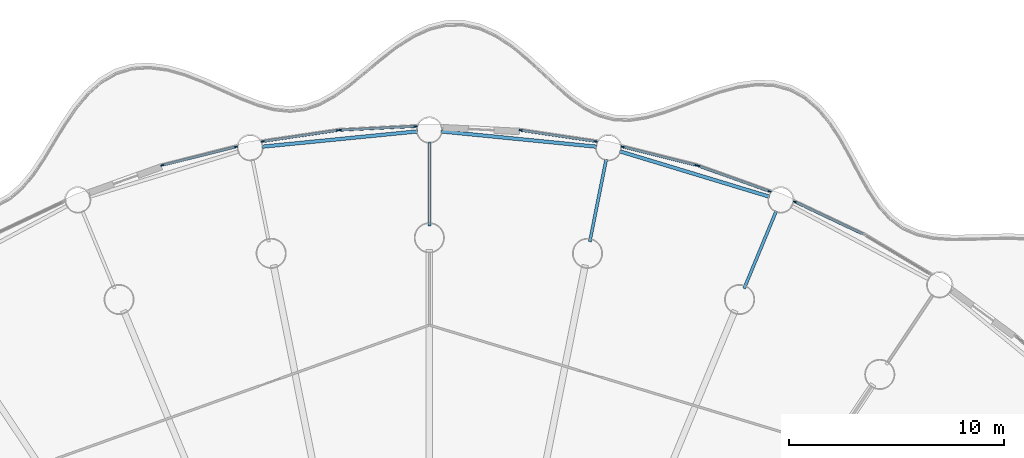
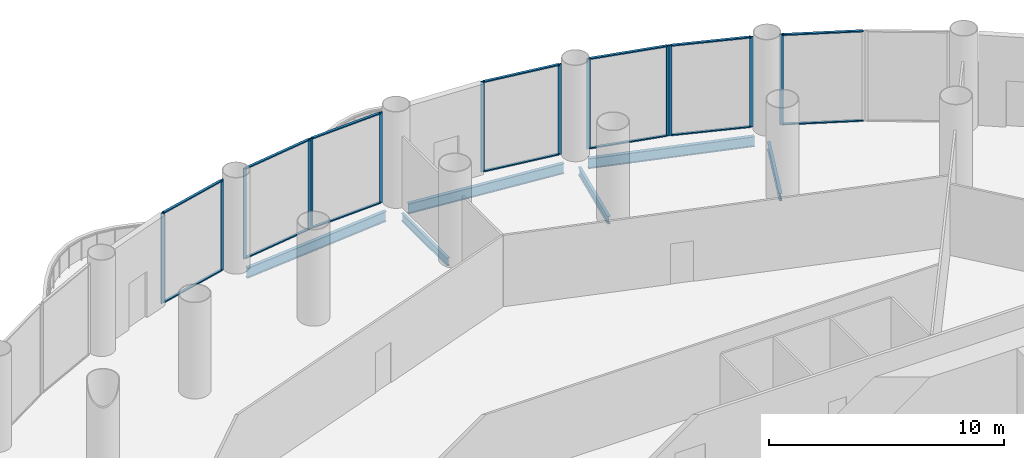
# One storey, part 18 of 36: 27 members, 6 beams, 7 elements without a shape of their own.
"""IFC4 building model written with IfcOpenShell, lengths in metres."""

from ifc_helpers import new_model, si_unit, direction, frame, origin, origin_2d, place, context, subcontext, project, spatial, rectangle, i_section, extrude, material, material_profile, profile_set, type_object, element, aggregate, save


model = new_model("IFC4")

# Units and contexts
model_context = context("Model", 3, precision=1e-05, world=origin(), true_north=direction((0.0, 1.0)))
body_context = subcontext(model_context, "Body", "Model", "MODEL_VIEW")
ifc_project = project(units=[si_unit("LENGTHUNIT", "METRE"), si_unit("AREAUNIT", "SQUARE_METRE"), si_unit("VOLUMEUNIT", "CUBIC_METRE"), si_unit("PLANEANGLEUNIT", "RADIAN"), si_unit("MASSUNIT", "GRAM", prefix="KILO")], contexts=[model_context])

# Site, building, storey
site_placement = place(None, origin())
site = spatial("IfcSite", under=ifc_project, at=site_placement, CompositionType="ELEMENT")
building_placement = place(site_placement, origin())
building = spatial("IfcBuilding", under=site, at=building_placement, Name="Corvane Civic Tower", CompositionType="ELEMENT")
storey_placement = place(building_placement, frame((0.0, 0.0, 17.0)))
storey = spatial("IfcBuildingStorey", under=building, at=storey_placement, Name="L03", CompositionType="ELEMENT", Elevation=17.0)

# Beams
ifc_material_1 = material(Name="Steel ASTM A992 Gr 50", Category="steel")
ifc_material_profile_1 = material_profile(ifc_material_1, i_section(OverallWidth=0.165771484375, OverallDepth=0.5283203125, WebThickness=0.009765625, FlangeThickness=0.013671875, at=origin_2d()), Name="W21X50")
ifc_profile_set_1 = profile_set([ifc_material_profile_1], Name="Steel ASTM A992 Gr 50")
beam_type_1 = type_object("IfcBeamType", Name="EDGE BEAM W21X50", PredefinedType="BEAM", material=ifc_profile_set_1)
for number, where, z_axis, x_axis, name in (
    (1, (0.54736328125, 42.64599609375, -0.564208984375), (0.995187967953, -0.097984225478, 0.0), (0.097984225478, 0.995187967953, 0.0), "BM-L03-E01"),
    (2, (8.856689453125, 41.719970703125, -0.564208984375), (0.956938225664, -0.290291633127, 0.0), (0.290291633127, 0.956938225664, 0.0), "BM-L03-E02"),
    (3, (-7.782958984375, 41.93359375, -0.564208984375), (0.995187967953, 0.097984225478, 0.0), (-0.097984225478, 0.995187967953, 0.0), "BM-L03-E32"),
):
    element("IfcBeam", number, at=place(storey_placement, frame(where, z_axis=z_axis, x_axis=x_axis)), inside=storey, type_object=beam_type_1, Name=name, PredefinedType="BEAM", context=body_context, shape_type="SweptSolid", body=[
        extrude(i_section(OverallWidth=0.165771484375, OverallDepth=0.5283203125, WebThickness=0.009765625, FlangeThickness=0.013671875, at=origin_2d()), origin(), (0.0, 0.0, 1.0), 7.2705078125),
    ])
ifc_material_2 = material(Name="Steel ASTM A992 Gr 50", Category="steel")
ifc_material_profile_2 = material_profile(ifc_material_2, i_section(OverallWidth=0.140380859375, OverallDepth=0.40380859375, WebThickness=0.007080078125, FlangeThickness=0.01123046875, at=origin_2d()), Name="W16X31")
ifc_profile_set_2 = profile_set([ifc_material_profile_2], Name="Steel ASTM A992 Gr 50")
beam_type_2 = type_object("IfcBeamType", Name="FLOOR GIRDER W16X31", PredefinedType="BEAM", material=ifc_profile_set_2)
for number, where, z_axis, x_axis, name in (
    (4, (0.0, 38.25, -0.501953125), (0.0, 1.0, 0.0), (-1.0, 0.0, 0.0), "BM-L03-G01b"),
    (5, (7.462158203125, 37.51513671875, -0.501953125), (0.195128858343, 0.980777614264, 0.0), (-0.980777614264, 0.195128858343, 0.0), "BM-L03-G02b"),
    (6, (14.6376953125, 35.33837890625, -0.501953125), (0.382685369162, 0.923878730261, 0.0), (-0.923878730261, 0.382685369162, 0.0), "BM-L03-G03b"),
):
    element("IfcBeam", number, at=place(storey_placement, frame(where, z_axis=z_axis, x_axis=x_axis)), inside=storey, type_object=beam_type_2, Name=name, PredefinedType="BEAM", context=body_context, shape_type="SweptSolid", body=[
        extrude(i_section(OverallWidth=0.140380859375, OverallDepth=0.40380859375, WebThickness=0.007080078125, FlangeThickness=0.01123046875, at=origin_2d()), origin(), (0.0, 0.0, 1.0), 3.89990234375),
    ])

# Curtain wall, members
ifc_material_3 = material(Name="Aluminium and glass", Category="aluminium")
curtain_wall_type = type_object("IfcCurtainWallType", Name="PODIUM-CW-P-RUN", PredefinedType="NOTDEFINED", material=ifc_material_3)
curtain_wall_1_placement = place(storey_placement, origin())
curtain_wall_1 = element("IfcCurtainWall", 7, at=curtain_wall_1_placement, inside=storey, type_object=curtain_wall_type, Name="PODI run L03-drum-01B", PredefinedType="NOTDEFINED")
ifc_material_4 = material(Name="Anodised aluminium bronze", Category="aluminium")
ifc_material_profile_3 = material_profile(ifc_material_4, rectangle(XDim=0.06005859375, YDim=0.159912109375, at=origin_2d()), Name="AL 60x160")
ifc_profile_set_3 = profile_set([ifc_material_profile_3], Name="Anodised aluminium bronze")
member_type_1 = type_object("IfcMemberType", Name="PODIUM-CWP-MULLION-60x160", PredefinedType="MULLION", material=ifc_profile_set_3)
member_1_placement = place(storey_placement, frame((4.2509765625, 42.696533203125, 0.0), z_axis=(0.0, 0.0, 1.0), x_axis=(0.146714694252, 0.989178850608, 0.0)))
member_1 = element("IfcMember", 8, at=member_1_placement, type_object=member_type_1, Name="CW-P mullion 1", PredefinedType="MULLION", context=body_context, shape_type="SweptSolid", body=[
    extrude(rectangle(XDim=0.06005859375, YDim=0.159912109375, at=origin_2d()), origin(), (0.0, 0.0, 1.0), 4.699951171875),
])
member_2_placement = place(storey_placement, frame((7.732666015625, 42.18017578125, 0.0), z_axis=(0.0, 0.0, 1.0), x_axis=(0.146714694252, 0.989178850608, 0.0)))
member_2 = element("IfcMember", 9, at=member_2_placement, type_object=member_type_1, Name="CW-P mullion 2", PredefinedType="MULLION", context=body_context, shape_type="SweptSolid", body=[
    extrude(rectangle(XDim=0.06005859375, YDim=0.159912109375, at=origin_2d()), origin(), (0.0, 0.0, 1.0), 4.699951171875),
])

curtain_wall_2_placement = place(storey_placement, origin())
curtain_wall_2 = element("IfcCurtainWall", 10, at=curtain_wall_2_placement, inside=storey, type_object=curtain_wall_type, Name="PODI run L03-drum-02A", PredefinedType="NOTDEFINED")
member_3_placement = place(storey_placement, frame((8.99755859375, 41.9287109375, 0.0), z_axis=(0.0, 0.0, 1.0), x_axis=(0.243008852393, 0.970024070659, 0.0)))
member_3 = element("IfcMember", 11, at=member_3_placement, type_object=member_type_1, Name="CW-P mullion 1", PredefinedType="MULLION", context=body_context, shape_type="SweptSolid", body=[
    extrude(rectangle(XDim=0.06005859375, YDim=0.159912109375, at=origin_2d()), origin(), (0.0, 0.0, 1.0), 4.699951171875),
])
member_4_placement = place(storey_placement, frame((12.411865234375, 41.0732421875, 0.0), z_axis=(0.0, 0.0, 1.0), x_axis=(0.243008852393, 0.970024070659, 0.0)))
member_4 = element("IfcMember", 12, at=member_4_placement, type_object=member_type_1, Name="CW-P mullion 2", PredefinedType="MULLION", context=body_context, shape_type="SweptSolid", body=[
    extrude(rectangle(XDim=0.06005859375, YDim=0.159912109375, at=origin_2d()), origin(), (0.0, 0.0, 1.0), 4.699951171875),
])

curtain_wall_3_placement = place(storey_placement, origin())
curtain_wall_3 = element("IfcCurtainWall", 13, at=curtain_wall_3_placement, inside=storey, type_object=curtain_wall_type, Name="PODI run L03-drum-02B", PredefinedType="NOTDEFINED")
member_5_placement = place(storey_placement, frame((12.4990234375, 41.046875, 0.0), z_axis=(0.0, 0.0, 1.0), x_axis=(0.336918534123, 0.941533802561, 0.0)))
member_5 = element("IfcMember", 14, at=member_5_placement, type_object=member_type_1, Name="CW-P mullion 1", PredefinedType="MULLION", context=body_context, shape_type="SweptSolid", body=[
    extrude(rectangle(XDim=0.06005859375, YDim=0.159912109375, at=origin_2d()), origin(), (0.0, 0.0, 1.0), 4.699951171875),
])
member_6_placement = place(storey_placement, frame((15.81298828125, 39.861083984375, 0.0), z_axis=(0.0, 0.0, 1.0), x_axis=(0.336918534123, 0.941533802561, 0.0)))
member_6 = element("IfcMember", 15, at=member_6_placement, type_object=member_type_1, Name="CW-P mullion 2", PredefinedType="MULLION", context=body_context, shape_type="SweptSolid", body=[
    extrude(rectangle(XDim=0.06005859375, YDim=0.159912109375, at=origin_2d()), origin(), (0.0, 0.0, 1.0), 4.699951171875),
])

# Curtain wall, member
curtain_wall_4_placement = place(storey_placement, origin())
curtain_wall_4 = element("IfcCurtainWall", 16, at=curtain_wall_4_placement, inside=storey, type_object=curtain_wall_type, Name="PODI run L03-drum-03A", PredefinedType="NOTDEFINED")
member_7_placement = place(storey_placement, frame((17.00439453125, 39.36767578125, 0.0), z_axis=(0.0, 0.0, 1.0), x_axis=(0.42755312852, 0.903990222454, 0.0)))
member_7 = element("IfcMember", 17, at=member_7_placement, type_object=member_type_1, Name="CW-P mullion 1", PredefinedType="MULLION", context=body_context, shape_type="SweptSolid", body=[
    extrude(rectangle(XDim=0.06005859375, YDim=0.159912109375, at=origin_2d()), origin(), (0.0, 0.0, 1.0), 4.699951171875),
])

# Curtain wall, members
curtain_wall_5_placement = place(storey_placement, origin())
curtain_wall_5 = element("IfcCurtainWall", 18, at=curtain_wall_5_placement, inside=storey, type_object=curtain_wall_type, Name="PODI run L03-drum-31B", PredefinedType="NOTDEFINED")
member_8_placement = place(storey_placement, frame((-12.411865234375, 41.0732421875, 0.0), z_axis=(0.0, 0.0, 1.0), x_axis=(-0.243008852393, 0.970024070659, 0.0)))
member_8 = element("IfcMember", 19, at=member_8_placement, type_object=member_type_1, Name="CW-P mullion 1", PredefinedType="MULLION", context=body_context, shape_type="SweptSolid", body=[
    extrude(rectangle(XDim=0.06005859375, YDim=0.159912109375, at=origin_2d()), origin(), (0.0, 0.0, 1.0), 4.699951171875),
])
member_9_placement = place(storey_placement, frame((-8.99755859375, 41.9287109375, 0.0), z_axis=(0.0, 0.0, 1.0), x_axis=(-0.243008852393, 0.970024070659, 0.0)))
member_9 = element("IfcMember", 20, at=member_9_placement, type_object=member_type_1, Name="CW-P mullion 2", PredefinedType="MULLION", context=body_context, shape_type="SweptSolid", body=[
    extrude(rectangle(XDim=0.06005859375, YDim=0.159912109375, at=origin_2d()), origin(), (0.0, 0.0, 1.0), 4.699951171875),
])

curtain_wall_6_placement = place(storey_placement, origin())
curtain_wall_6 = element("IfcCurtainWall", 21, at=curtain_wall_6_placement, inside=storey, type_object=curtain_wall_type, Name="PODI run L03-drum-32A", PredefinedType="NOTDEFINED")
member_10_placement = place(storey_placement, frame((-7.732666015625, 42.18017578125, 0.0), z_axis=(0.0, 0.0, 1.0), x_axis=(-0.146714694252, 0.989178850608, 0.0)))
member_10 = element("IfcMember", 22, at=member_10_placement, type_object=member_type_1, Name="CW-P mullion 1", PredefinedType="MULLION", context=body_context, shape_type="SweptSolid", body=[
    extrude(rectangle(XDim=0.06005859375, YDim=0.159912109375, at=origin_2d()), origin(), (0.0, 0.0, 1.0), 4.699951171875),
])
member_11_placement = place(storey_placement, frame((-4.2509765625, 42.696533203125, 0.0), z_axis=(0.0, 0.0, 1.0), x_axis=(-0.146714694252, 0.989178850608, 0.0)))
member_11 = element("IfcMember", 23, at=member_11_placement, type_object=member_type_1, Name="CW-P mullion 2", PredefinedType="MULLION", context=body_context, shape_type="SweptSolid", body=[
    extrude(rectangle(XDim=0.06005859375, YDim=0.159912109375, at=origin_2d()), origin(), (0.0, 0.0, 1.0), 4.699951171875),
])

curtain_wall_7_placement = place(storey_placement, origin())
curtain_wall_7 = element("IfcCurtainWall", 24, at=curtain_wall_7_placement, inside=storey, type_object=curtain_wall_type, Name="PODI run L03-drum-32B", PredefinedType="NOTDEFINED")
member_12_placement = place(storey_placement, frame((-4.16064453125, 42.70556640625, 0.0), z_axis=(0.0, 0.0, 1.0), x_axis=(-0.04905015332, 0.998796316803, 0.0)))
member_12 = element("IfcMember", 25, at=member_12_placement, type_object=member_type_1, Name="CW-P mullion 1", PredefinedType="MULLION", context=body_context, shape_type="SweptSolid", body=[
    extrude(rectangle(XDim=0.06005859375, YDim=0.159912109375, at=origin_2d()), origin(), (0.0, 0.0, 1.0), 4.699951171875),
])
member_13_placement = place(storey_placement, frame((-0.644775390625, 42.878173828125, 0.0), z_axis=(0.0, 0.0, 1.0), x_axis=(-0.04905015332, 0.998796316803, 0.0)))
member_13 = element("IfcMember", 26, at=member_13_placement, type_object=member_type_1, Name="CW-P mullion 2", PredefinedType="MULLION", context=body_context, shape_type="SweptSolid", body=[
    extrude(rectangle(XDim=0.06005859375, YDim=0.159912109375, at=origin_2d()), origin(), (0.0, 0.0, 1.0), 4.699951171875),
])

# Member
ifc_material_5 = material(Name="Anodised aluminium bronze", Category="aluminium")
ifc_material_profile_4 = material_profile(ifc_material_5, rectangle(XDim=0.1201171875, YDim=0.06005859375, at=origin_2d()), Name="AL 120x60")
ifc_profile_set_4 = profile_set([ifc_material_profile_4], Name="Anodised aluminium bronze")
member_type_2 = type_object("IfcMemberType", Name="PODIUM-CWP-TRANSOM-60x120", PredefinedType="USERDEFINED", material=ifc_profile_set_4)
member_14_placement = place(storey_placement, frame((4.28076171875, 42.692138671875, 0.030029296875), z_axis=(0.989180338828, -0.146704660039, 0.0), x_axis=(0.146704660039, 0.989180338828, 0.0)))
member_14 = element("IfcMember", 27, at=member_14_placement, type_object=member_type_2, Name="CW-P transom 1.1", ObjectType="TRANSOM", PredefinedType="USERDEFINED", context=body_context, shape_type="SweptSolid", body=[
    extrude(rectangle(XDim=0.1201171875, YDim=0.06005859375, at=origin_2d()), origin(), (0.0, 0.0, 1.0), 3.459716796875),
])

member_15_placement = place(storey_placement, frame((4.28076171875, 42.692138671875, 4.669921875), z_axis=(0.989180338828, -0.146704660039, 0.0), x_axis=(0.146704660039, 0.989180338828, 0.0)))
member_15 = element("IfcMember", 28, at=member_15_placement, type_object=member_type_2, Name="CW-P transom 1.2", ObjectType="TRANSOM", PredefinedType="USERDEFINED", context=body_context, shape_type="SweptSolid", body=[
    extrude(rectangle(XDim=0.1201171875, YDim=0.06005859375, at=origin_2d()), origin(), (0.0, 0.0, 1.0), 3.459716796875),
])

aggregate(curtain_wall_1, [member_1, member_2, member_14, member_15])

member_16_placement = place(storey_placement, frame((9.026611328125, 41.92138671875, 0.030029296875), z_axis=(0.970022009425, -0.243017080124, 0.0), x_axis=(0.243017080124, 0.970022009425, 0.0)))
member_16 = element("IfcMember", 29, at=member_16_placement, type_object=member_type_2, Name="CW-P transom 1.1", ObjectType="TRANSOM", PredefinedType="USERDEFINED", context=body_context, shape_type="SweptSolid", body=[
    extrude(rectangle(XDim=0.1201171875, YDim=0.06005859375, at=origin_2d()), origin(), (0.0, 0.0, 1.0), 3.4599609375),
])

member_17_placement = place(storey_placement, frame((9.026611328125, 41.92138671875, 4.669921875), z_axis=(0.970022009425, -0.243017080124, 0.0), x_axis=(0.243017080124, 0.970022009425, 0.0)))
member_17 = element("IfcMember", 30, at=member_17_placement, type_object=member_type_2, Name="CW-P transom 1.2", ObjectType="TRANSOM", PredefinedType="USERDEFINED", context=body_context, shape_type="SweptSolid", body=[
    extrude(rectangle(XDim=0.1201171875, YDim=0.06005859375, at=origin_2d()), origin(), (0.0, 0.0, 1.0), 3.4599609375),
])

aggregate(curtain_wall_2, [member_3, member_4, member_16, member_17])

member_18_placement = place(storey_placement, frame((12.527099609375, 41.036865234375, 0.030029296875), z_axis=(0.941526196838, -0.336939787896, 0.0), x_axis=(0.336939787896, 0.941526196838, 0.0)))
member_18 = element("IfcMember", 31, at=member_18_placement, type_object=member_type_2, Name="CW-P transom 1.1", ObjectType="TRANSOM", PredefinedType="USERDEFINED", context=body_context, shape_type="SweptSolid", body=[
    extrude(rectangle(XDim=0.1201171875, YDim=0.06005859375, at=origin_2d()), origin(), (0.0, 0.0, 1.0), 3.4599609375),
])

member_19_placement = place(storey_placement, frame((12.527099609375, 41.036865234375, 4.669921875), z_axis=(0.941526196838, -0.336939787896, 0.0), x_axis=(0.336939787896, 0.941526196838, 0.0)))
member_19 = element("IfcMember", 32, at=member_19_placement, type_object=member_type_2, Name="CW-P transom 1.2", ObjectType="TRANSOM", PredefinedType="USERDEFINED", context=body_context, shape_type="SweptSolid", body=[
    extrude(rectangle(XDim=0.1201171875, YDim=0.06005859375, at=origin_2d()), origin(), (0.0, 0.0, 1.0), 3.4599609375),
])

aggregate(curtain_wall_3, [member_5, member_6, member_18, member_19])

member_20_placement = place(storey_placement, frame((17.031494140625, 39.354736328125, 0.030029296875), z_axis=(0.903993431638, -0.427546343166, 0.0), x_axis=(0.427546343166, 0.903993431638, 0.0)))
member_20 = element("IfcMember", 33, at=member_20_placement, type_object=member_type_2, Name="CW-P transom 1.1", ObjectType="TRANSOM", PredefinedType="USERDEFINED", context=body_context, shape_type="SweptSolid", body=[
    extrude(rectangle(XDim=0.1201171875, YDim=0.06005859375, at=origin_2d()), origin(), (0.0, 0.0, 1.0), 3.4599609375),
])

member_21_placement = place(storey_placement, frame((17.031494140625, 39.354736328125, 4.669921875), z_axis=(0.903993431638, -0.427546343166, 0.0), x_axis=(0.427546343166, 0.903993431638, 0.0)))
member_21 = element("IfcMember", 34, at=member_21_placement, type_object=member_type_2, Name="CW-P transom 1.2", ObjectType="TRANSOM", PredefinedType="USERDEFINED", context=body_context, shape_type="SweptSolid", body=[
    extrude(rectangle(XDim=0.1201171875, YDim=0.06005859375, at=origin_2d()), origin(), (0.0, 0.0, 1.0), 3.4599609375),
])

aggregate(curtain_wall_4, [member_7, member_20, member_21])

member_22_placement = place(storey_placement, frame((-12.3828125, 41.08056640625, 0.030029296875), z_axis=(0.970022009425, 0.243017080124, 0.0), x_axis=(-0.243017080124, 0.970022009425, 0.0)))
member_22 = element("IfcMember", 35, at=member_22_placement, type_object=member_type_2, Name="CW-P transom 1.1", ObjectType="TRANSOM", PredefinedType="USERDEFINED", context=body_context, shape_type="SweptSolid", body=[
    extrude(rectangle(XDim=0.1201171875, YDim=0.06005859375, at=origin_2d()), origin(), (0.0, 0.0, 1.0), 3.4599609375),
])

member_23_placement = place(storey_placement, frame((-12.3828125, 41.08056640625, 4.669921875), z_axis=(0.970022009425, 0.243017080124, 0.0), x_axis=(-0.243017080124, 0.970022009425, 0.0)))
member_23 = element("IfcMember", 36, at=member_23_placement, type_object=member_type_2, Name="CW-P transom 1.2", ObjectType="TRANSOM", PredefinedType="USERDEFINED", context=body_context, shape_type="SweptSolid", body=[
    extrude(rectangle(XDim=0.1201171875, YDim=0.06005859375, at=origin_2d()), origin(), (0.0, 0.0, 1.0), 3.4599609375),
])

aggregate(curtain_wall_5, [member_8, member_9, member_22, member_23])

member_24_placement = place(storey_placement, frame((-7.703125, 42.1845703125, 0.030029296875), z_axis=(0.989180338828, 0.146704660039, 0.0), x_axis=(-0.146704660039, 0.989180338828, 0.0)))
member_24 = element("IfcMember", 37, at=member_24_placement, type_object=member_type_2, Name="CW-P transom 1.1", ObjectType="TRANSOM", PredefinedType="USERDEFINED", context=body_context, shape_type="SweptSolid", body=[
    extrude(rectangle(XDim=0.1201171875, YDim=0.06005859375, at=origin_2d()), origin(), (0.0, 0.0, 1.0), 3.459716796875),
])

member_25_placement = place(storey_placement, frame((-7.703125, 42.1845703125, 4.669921875), z_axis=(0.989180338828, 0.146704660039, 0.0), x_axis=(-0.146704660039, 0.989180338828, 0.0)))
member_25 = element("IfcMember", 38, at=member_25_placement, type_object=member_type_2, Name="CW-P transom 1.2", ObjectType="TRANSOM", PredefinedType="USERDEFINED", context=body_context, shape_type="SweptSolid", body=[
    extrude(rectangle(XDim=0.1201171875, YDim=0.06005859375, at=origin_2d()), origin(), (0.0, 0.0, 1.0), 3.459716796875),
])

aggregate(curtain_wall_6, [member_10, member_11, member_24, member_25])

member_26_placement = place(storey_placement, frame((-4.130615234375, 42.70703125, 0.030029296875), z_axis=(0.998796806423, 0.049040182301, 0.0), x_axis=(-0.049040182301, 0.998796806423, 0.0)))
member_26 = element("IfcMember", 39, at=member_26_placement, type_object=member_type_2, Name="CW-P transom 1.1", ObjectType="TRANSOM", PredefinedType="USERDEFINED", context=body_context, shape_type="SweptSolid", body=[
    extrude(rectangle(XDim=0.1201171875, YDim=0.06005859375, at=origin_2d()), origin(), (0.0, 0.0, 1.0), 3.4599609375),
])

member_27_placement = place(storey_placement, frame((-4.130615234375, 42.70703125, 4.669921875), z_axis=(0.998796806423, 0.049040182301, 0.0), x_axis=(-0.049040182301, 0.998796806423, 0.0)))
member_27 = element("IfcMember", 40, at=member_27_placement, type_object=member_type_2, Name="CW-P transom 1.2", ObjectType="TRANSOM", PredefinedType="USERDEFINED", context=body_context, shape_type="SweptSolid", body=[
    extrude(rectangle(XDim=0.1201171875, YDim=0.06005859375, at=origin_2d()), origin(), (0.0, 0.0, 1.0), 3.4599609375),
])

aggregate(curtain_wall_7, [member_12, member_13, member_26, member_27])

save(model, "model.ifc")
